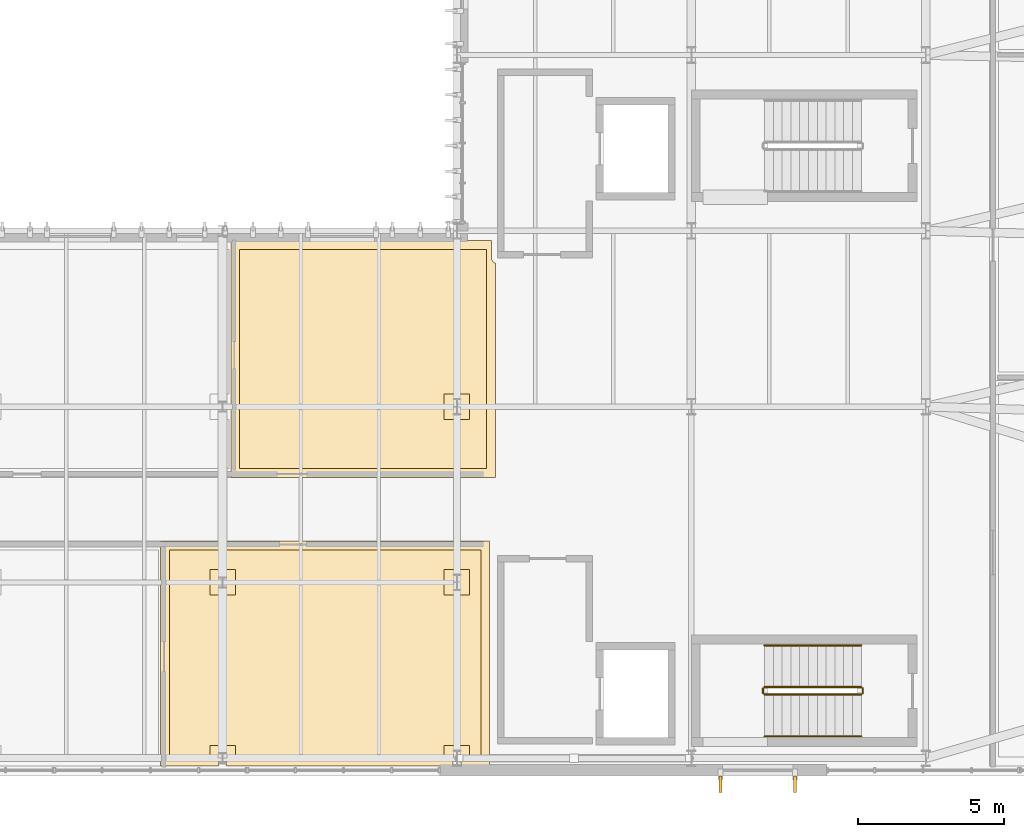
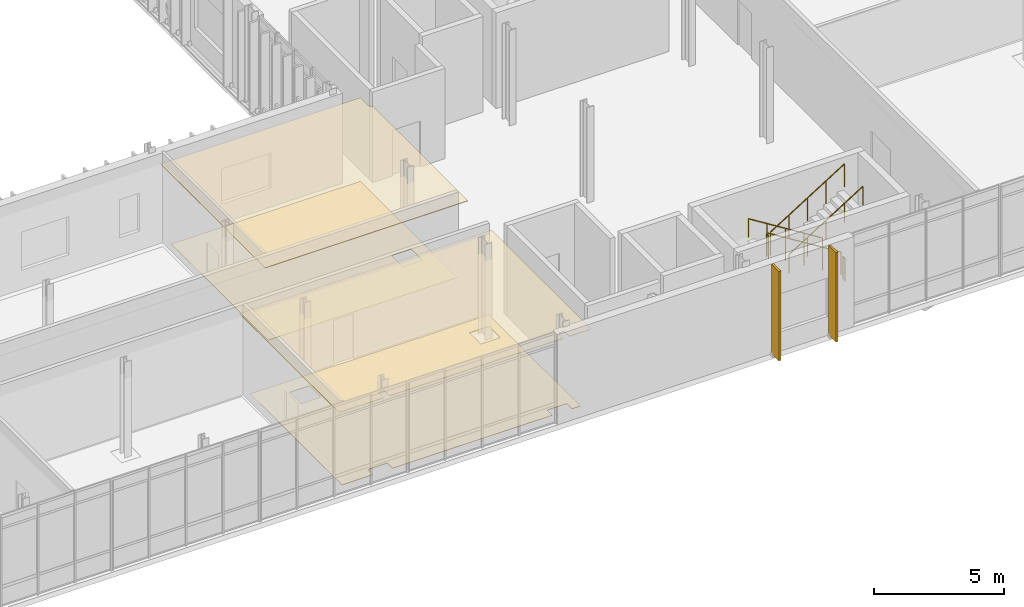
# One storey, part 83 of 86: 6 coverings, 6 railings.
"""IFC4 building model written with IfcOpenShell, lengths in metres."""

import ifcopenshell
import ifcopenshell.guid

model = None  # the IFC model being written
_history = None  # IfcOwnerHistory: only IFC2X3 demands one
_inside = {}  # id of a spatial element -> (the spatial element, [elements in it])
_under = {}  # id of a project, library or spatial element -> (it, [spatial elements below it])
_declared = {}  # id of a project -> (the project, [libraries it declares])
_typed = {}  # id of a type object -> (the type object, [elements of that type])
_made_of = {}  # id of a material, layer set ... -> (it, [elements and type objects made of it])


def new_model(schema):
    """Start an empty IFC model of exactly this schema.

    Asked for "IFC4X3", IfcOpenShell would pick the latest addendum, in which some entities
    have other attributes; the version numbers below select the first issue.
    IFC2X3 requires an IfcOwnerHistory on every rooted entity: one is made here for all.
    """
    global model, _history
    if schema == "IFC4X3":
        model = ifcopenshell.file(schema_version=(4, 3, 0, 0))
    else:
        model = ifcopenshell.file(schema=schema)
    _inside.clear()
    _under.clear()
    _declared.clear()
    _typed.clear()
    _made_of.clear()
    _history = None
    if model.schema == "IFC2X3":
        org = make("IfcOrganization", Name="unknown")
        user = make(
            "IfcPersonAndOrganization",
            ThePerson=make("IfcPerson", FamilyName="unknown"),
            TheOrganization=org,
        )
        app = make(
            "IfcApplication",
            ApplicationDeveloper=org,
            Version="unknown",
            ApplicationFullName="unknown",
            ApplicationIdentifier="unknown",
        )
        _history = make(
            "IfcOwnerHistory",
            OwningUser=user,
            OwningApplication=app,
            ChangeAction="ADDED",
            CreationDate=0,
        )
    return model


def make(cls, **values):
    """One entity of the class cls with the attributes given. An attribute that is None is left unset."""
    return model.create_entity(
        cls, **{name: value for name, value in values.items() if value is not None}
    )


def rooted(cls, **values):
    """An entity with a GlobalId (a new one), such as an element, a storey or a relation."""
    return make(cls, GlobalId=ifcopenshell.guid.new(), OwnerHistory=_history, **values)


def si_unit(unit_type, name, prefix=None):
    """IfcSIUnit, for example si_unit("LENGTHUNIT", "METRE", prefix="MILLI")."""
    return make("IfcSIUnit", UnitType=unit_type, Prefix=prefix, Name=name)


def assignment(units):
    """IfcUnitAssignment: the units of a project."""
    return None if units is None else make("IfcUnitAssignment", Units=units)


def point(xyz):
    """IfcCartesianPoint."""
    return None if xyz is None else make("IfcCartesianPoint", Coordinates=xyz)


def direction(xyz):
    """IfcDirection."""
    return None if xyz is None else make("IfcDirection", DirectionRatios=xyz)


def frame(location, z_axis=None, x_axis=None):
    """IfcAxis2Placement3D, a coordinate frame: its origin and axes. An axis left out is left unset."""
    return make(
        "IfcAxis2Placement3D",
        Location=point(location),
        Axis=direction(z_axis),
        RefDirection=direction(x_axis),
    )


def frame_2d(location, x_axis=None):
    """IfcAxis2Placement2D, a coordinate frame in the plane: its origin and x axis."""
    return make(
        "IfcAxis2Placement2D", Location=point(location), RefDirection=direction(x_axis)
    )


def origin():
    """The frame at (0, 0, 0) with its axes left unset."""
    return frame((0.0, 0.0, 0.0))


def origin_2d():
    """The frame at (0, 0) in the plane with its x axis left unset."""
    return frame_2d((0.0, 0.0))


def place(relative_to, where):
    """IfcLocalPlacement: puts the frame where relative to a parent placement (None: the world)."""
    return make(
        "IfcLocalPlacement", PlacementRelTo=relative_to, RelativePlacement=where
    )


def context(
    kind, dimensions, precision=None, world=None, true_north=None, identifier=None
):
    """IfcGeometricRepresentationContext, for example the 3D "Model" context."""
    return make(
        "IfcGeometricRepresentationContext",
        ContextIdentifier=identifier,
        ContextType=kind,
        CoordinateSpaceDimension=dimensions,
        Precision=precision,
        WorldCoordinateSystem=world,
        TrueNorth=true_north,
    )


def subcontext(parent, identifier, kind, view, scale=None):
    """IfcGeometricRepresentationSubContext, for example "Body" below "Model"."""
    return make(
        "IfcGeometricRepresentationSubContext",
        ContextIdentifier=identifier,
        ContextType=kind,
        ParentContext=parent,
        TargetScale=scale,
        TargetView=view,
    )


def project(units=None, contexts=None):
    """IfcProject with its units and contexts."""
    return rooted(
        "IfcProject",
        Name="project",
        RepresentationContexts=contexts,
        UnitsInContext=assignment(units),
    )


def spatial(cls, under=None, at=None, **own):
    """A site, building, storey or space (cls), placed at a placement, below another one or the project."""
    s = rooted(cls, ObjectPlacement=at, **own)
    if under is not None:
        _under.setdefault(under.id(), (under, []))[1].append(s)
    return s


def polyline(points):
    """IfcPolyline through the points."""
    return make("IfcPolyline", Points=[point(p) for p in points])


def profile(cls, at=None, kind="AREA", **sizes):
    """A parametric profile (cls). Its sizes go by their IFC names, for example OverallWidth=200.0."""
    return make(cls, ProfileType=kind, Position=at, **sizes)


def rectangle(**sizes):
    """IfcRectangleProfileDef."""
    return profile("IfcRectangleProfileDef", **sizes)


def circle(**sizes):
    """IfcCircleProfileDef."""
    return profile("IfcCircleProfileDef", **sizes)


def outline(outer, holes=None, kind="AREA"):
    """IfcArbitraryClosedProfileDef: a profile drawn as a closed curve; with holes, ...WithVoids."""
    if holes is None:
        return make("IfcArbitraryClosedProfileDef", ProfileType=kind, OuterCurve=outer)
    return make(
        "IfcArbitraryProfileDefWithVoids",
        ProfileType=kind,
        OuterCurve=outer,
        InnerCurves=holes,
    )


def extrude(swept, where, along, depth):
    """IfcExtrudedAreaSolid: the profile swept, set in the frame where, extruded along a direction by depth."""
    return make(
        "IfcExtrudedAreaSolid",
        SweptArea=swept,
        Position=where,
        ExtrudedDirection=direction(along),
        Depth=depth,
    )


def shape(context_of_items, identifier, shape_type, items):
    """IfcShapeRepresentation: the items that make up one representation, for example the "Body"."""
    return make(
        "IfcShapeRepresentation",
        ContextOfItems=context_of_items,
        RepresentationIdentifier=identifier,
        RepresentationType=shape_type,
        Items=items,
    )


def material(Name=None, Category=None):
    """IfcMaterial."""
    return make("IfcMaterial", Name=Name, Category=Category)


def layer(
    of_material, thickness, ventilated=None, Name=None, Category=None, Priority=None
):
    """IfcMaterialLayer: one layer of a wall or slab, of a material (None: an air gap)."""
    return make(
        "IfcMaterialLayer",
        Material=of_material,
        LayerThickness=thickness,
        IsVentilated=ventilated,
        Name=Name,
        Category=Category,
        Priority=Priority,
    )


def layer_set(layers, Name=None):
    """IfcMaterialLayerSet."""
    return make("IfcMaterialLayerSet", MaterialLayers=layers, LayerSetName=Name)


def made_of(thing, what):
    """Note that an element or type object is made of a material, layer set ...; save() writes the relation."""
    if what is not None:
        _made_of.setdefault(what.id(), (what, []))[1].append(thing)
    return thing


def type_object(cls, material=None, **own):
    """A type object (cls), such as IfcWallType, which elements share."""
    return made_of(rooted(cls, **own), material)


def element(
    cls,
    number,
    at=None,
    inside=None,
    cuts=None,
    type_object=None,
    material=None,
    context=None,
    identifier="Body",
    shape_type=None,
    held_by="IfcProductDefinitionShape",
    body=None,
    shapes=None,
    **own,
):
    """One element of the class cls, such as IfcWall. Its Tag is "e" and its number.

    at: its placement. inside: the storey or other place that contains it. cuts: it is an
    opening in that element (IfcRelVoidsElement). A single representation is given by context,
    identifier, shape_type and body (its items); several are given by shapes. held_by: the class
    of the entity that holds the representations. save() writes the other relations.
    """
    e = rooted(cls, Tag="e%d" % number, ObjectPlacement=at, **own)
    if body is not None:
        shapes = [shape(context, identifier, shape_type, body)]
    if shapes is not None:
        e.Representation = make(held_by, Representations=shapes)
    if inside is not None:
        _inside.setdefault(inside.id(), (inside, []))[1].append(e)
    if cuts is not None:
        rooted(
            "IfcRelVoidsElement", RelatingBuildingElement=cuts, RelatedOpeningElement=e
        )
    if type_object is not None:
        _typed.setdefault(type_object.id(), (type_object, []))[1].append(e)
    return made_of(e, material)


def aggregate(whole, parts):
    """IfcRelAggregates: a whole, such as a stair, and the parts it consists of."""
    return rooted("IfcRelAggregates", RelatingObject=whole, RelatedObjects=parts)


def save(model, path):
    """Write the relations noted so far, then the file.

    IfcRelAggregates (storeys below a building ...), IfcRelContainedInSpatialStructure (elements
    in a storey), IfcRelDefinesByType, IfcRelAssociatesMaterial and IfcRelDeclares: one each for
    every whole, place, type object, material and project.
    """
    for whole, parts in _under.values():
        aggregate(whole, parts)
    for where, things in _inside.values():
        rooted(
            "IfcRelContainedInSpatialStructure",
            RelatedElements=things,
            RelatingStructure=where,
        )
    for kind, things in _typed.values():
        rooted("IfcRelDefinesByType", RelatedObjects=things, RelatingType=kind)
    for what, things in _made_of.values():
        rooted("IfcRelAssociatesMaterial", RelatedObjects=things, RelatingMaterial=what)
    for by, libraries in _declared.values():
        rooted("IfcRelDeclares", RelatingContext=by, RelatedDefinitions=libraries)
    model.write(path)


model = new_model("IFC4")

# Units and contexts
model_context = context("Model", 3, precision=1e-05, world=origin(), true_north=direction((0.0, 1.0)))
body_context = subcontext(model_context, "Body", "Model", "MODEL_VIEW")
ifc_project = project(units=[si_unit("LENGTHUNIT", "METRE"), si_unit("AREAUNIT", "SQUARE_METRE"), si_unit("VOLUMEUNIT", "CUBIC_METRE"), si_unit("PLANEANGLEUNIT", "RADIAN"), si_unit("MASSUNIT", "GRAM", prefix="KILO")], contexts=[model_context])

# Site, building, storey
site_placement = place(None, origin())
site = spatial("IfcSite", under=ifc_project, at=site_placement, CompositionType="ELEMENT")
building_placement = place(site_placement, origin())
building = spatial("IfcBuilding", under=site, at=building_placement, Name="Cymarion Research Institute", CompositionType="ELEMENT")
storey_placement = place(building_placement, frame((0.0, 0.0, 13.800048828125)))
storey = spatial("IfcBuildingStorey", under=building, at=storey_placement, Name="L03", CompositionType="ELEMENT", Elevation=13.800048828125)

# Coverings
ifc_material_1 = material(Name="Micro-perforated mineral acoustic ceiling tile", Category="gypsum")
ifc_layer_1 = layer(ifc_material_1, 0.030029296875)
ifc_layer_set_1 = layer_set([ifc_layer_1], Name="Micro-perforated mineral acoustic ceiling tile")
covering_type_1 = type_object("IfcCoveringType", Name="ACOUSTIC MICRO-PERFORATED SUSPENDED CEILING CLG-01", PredefinedType="CEILING", material=ifc_layer_set_1)
covering_1_placement = place(storey_placement, frame((0.0, 0.0, 3.68994140625)))
element("IfcCovering", 1, at=covering_1_placement, inside=storey, type_object=covering_type_1, Name="L03 L03 Accessible Staff Restroom and Shower acoustic ceiling", PredefinedType="CEILING", context=body_context, shape_type="SweptSolid", body=[
    extrude(outline(polyline([(139.715087890625, 12.9150390625), (139.715087890625, 5.235107421875), (138.735107421875, 5.235107421875), (138.735107421875, 5.635009765625), (138.465087890625, 5.635009765625), (138.465087890625, 5.235107421875), (130.735107421875, 5.235107421875), (130.735107421875, 5.635009765625), (130.465087890625, 5.635009765625), (130.465087890625, 5.235107421875), (128.485107421875, 5.235107421875), (128.485107421875, 12.9150390625), (139.715087890625, 12.9150390625)])), origin(), (0.0, 0.0, 1.0), 0.030029296875),
])
covering_2_placement = place(storey_placement, frame((0.0, 0.0, 3.68994140625)))
element("IfcCovering", 2, at=covering_2_placement, inside=storey, type_object=covering_type_1, Name="L03 L03 Research Group Seminar & Data Review Room acoustic ceiling", PredefinedType="CEILING", context=body_context, shape_type="SweptSolid", body=[
    extrude(outline(polyline([(139.780029296875, 23.1650390625), (139.780029296875, 22.580078125), (139.781005859375, 22.560302734375), (139.78369140625, 22.541015625), (139.78857421875, 22.52197265625), (139.795166015625, 22.50341796875), (139.8037109375, 22.485595703125), (139.813720703125, 22.468994140625), (139.825439453125, 22.453125), (139.838623046875, 22.438720703125), (139.85302734375, 22.42529296875), (139.868896484375, 22.413818359375), (139.8857421875, 22.403564453125), (139.903564453125, 22.395263671875), (139.9150390625, 22.39111328125), (139.9150390625, 15.0849609375), (130.885009765625, 15.0849609375), (130.885009765625, 23.1650390625), (139.780029296875, 23.1650390625)])), origin(), (0.0, 0.0, 1.0), 0.030029296875),
])
ifc_material_2 = material(Name="Precast concrete C45/55 architectural white", Category="concrete")
ifc_layer_2 = layer(ifc_material_2, 0.090087890625)
ifc_layer_set_2 = layer_set([ifc_layer_2], Name="Precast concrete C45/55 architectural white")
covering_type_2 = type_object("IfcCoveringType", Name="ARCHITECTURAL WHITE PRECAST CONCRETE VERTICAL FIN FIN1 560MM", PredefinedType="CLADDING", material=ifc_layer_set_2)
for number, where, z_axis, x_axis, name in (
    (3, (147.5966796875, 4.617919921875, 0.009765625), (0.0, 0.0, 1.0), (0.0, -1.0, 0.0), "L03 V1 white precast vertical fin FIN1 #317"),
    (4, (150.13671875, 4.617919921875, 0.009765625), (0.0, 0.0, 1.0), (0.0, -1.0, 0.0), "L03 V1 white precast vertical fin FIN1 #318"),
):
    element("IfcCovering", number, at=place(storey_placement, frame(where, z_axis=z_axis, x_axis=x_axis)), inside=storey, type_object=covering_type_2, Name=name, PredefinedType="CLADDING", context=body_context, shape_type="SweptSolid", body=[
        extrude(rectangle(XDim=0.56005859375, YDim=0.090087890625, at=origin_2d()), origin(), (0.0, 0.0, 1.0), 4.219970703125),
    ])

# Railings
ifc_material_3 = material(Name="Steel S355", Category="steel")
railing_type_1 = type_object("IfcRailingType", Name="PAINTED STEEL STAIR GUARDRAIL GR1 1100MM", PredefinedType="GUARDRAIL", material=ifc_material_3)
railing_1_placement = place(storey_placement, frame((152.39990234375, 7.929931640625, 0.1875)))
element("IfcRailing", 5, at=railing_1_placement, inside=storey, type_object=railing_type_1, Name="L03 ST1 stair guard 1", PredefinedType="GUARDRAIL", context=body_context, shape_type="SweptSolid", body=[
    extrude(circle(Radius=0.02392578125, at=origin_2d()), frame((0.0, 0.0, 1.076171875), z_axis=(-0.847984204989, 0.0, 0.530021497762), x_axis=(0.0, -1.0, 0.0)), (0.0, 0.0, 1.0), 3.891357421875),
    extrude(circle(Radius=0.02099609375, at=origin_2d()), origin(), (0.0, 0.0, 1.0), 1.052001953125),
    extrude(circle(Radius=0.02099609375, at=origin_2d()), frame((-0.824951171875, 0.0, 0.515625)), (0.0, 0.0, 1.0), 1.052001953125),
    extrude(circle(Radius=0.02099609375, at=origin_2d()), frame((-1.64990234375, 0.0, 1.03125)), (0.0, 0.0, 1.0), 1.052001953125),
    extrude(circle(Radius=0.02099609375, at=origin_2d()), frame((-2.474853515625, 0.0, 1.546875)), (0.0, 0.0, 1.0), 1.052001953125),
    extrude(circle(Radius=0.02099609375, at=origin_2d()), frame((-3.2998046875, 0.0, 2.0625)), (0.0, 0.0, 1.0), 1.052001953125),
])
railing_2_placement = place(storey_placement, frame((149.050048828125, 7.8798828125, 2.25)))
element("IfcRailing", 6, at=railing_2_placement, inside=storey, type_object=railing_type_1, Name="L03 ST1 stair guard 2", PredefinedType="GUARDRAIL", context=body_context, shape_type="SweptSolid", body=[
    extrude(circle(Radius=0.02392578125, at=origin_2d()), frame((0.0, 0.0, 1.076171875), z_axis=(0.0, -1.0, 0.0), x_axis=(1.0, 0.0, 0.0)), (0.0, 0.0, 1.0), 0.159912109375),
    extrude(circle(Radius=0.02099609375, at=origin_2d()), origin(), (0.0, 0.0, 1.0), 1.052001953125),
    extrude(circle(Radius=0.02099609375, at=origin_2d()), frame((0.0, -0.159912109375, 0.0)), (0.0, 0.0, 1.0), 1.052001953125),
])
railing_3_placement = place(storey_placement, frame((149.10009765625, 7.669921875, 2.4375)))
element("IfcRailing", 7, at=railing_3_placement, inside=storey, type_object=railing_type_1, Name="L03 ST1 stair guard 3", PredefinedType="GUARDRAIL", context=body_context, shape_type="SweptSolid", body=[
    extrude(circle(Radius=0.02392578125, at=origin_2d()), frame((0.0, 0.0, 1.076171875), z_axis=(0.847984204989, 0.0, 0.530021497762), x_axis=(0.0, 1.0, 0.0)), (0.0, 0.0, 1.0), 3.891357421875),
    extrude(circle(Radius=0.02099609375, at=origin_2d()), origin(), (0.0, 0.0, 1.0), 1.052001953125),
    extrude(circle(Radius=0.02099609375, at=origin_2d()), frame((0.824951171875, 0.0, 0.515625)), (0.0, 0.0, 1.0), 1.052001953125),
    extrude(circle(Radius=0.02099609375, at=origin_2d()), frame((1.64990234375, 0.0, 1.03125)), (0.0, 0.0, 1.0), 1.052001953125),
    extrude(circle(Radius=0.02099609375, at=origin_2d()), frame((2.474853515625, 0.0, 1.546875)), (0.0, 0.0, 1.0), 1.052001953125),
    extrude(circle(Radius=0.02099609375, at=origin_2d()), frame((3.2998046875, 0.0, 2.0625)), (0.0, 0.0, 1.0), 1.052001953125),
])
railing_4_placement = place(storey_placement, frame((152.449951171875, 7.8798828125, 0.0)))
element("IfcRailing", 8, at=railing_4_placement, inside=storey, type_object=railing_type_1, Name="L03 ST1 stair guard 4", PredefinedType="GUARDRAIL", context=body_context, shape_type="SweptSolid", body=[
    extrude(circle(Radius=0.02392578125, at=origin_2d()), frame((0.0, 0.0, 1.076171875), z_axis=(0.0, -1.0, 0.0), x_axis=(1.0, 0.0, 0.0)), (0.0, 0.0, 1.0), 0.159912109375),
    extrude(circle(Radius=0.02099609375, at=origin_2d()), origin(), (0.0, 0.0, 1.0), 1.052001953125),
    extrude(circle(Radius=0.02099609375, at=origin_2d()), frame((0.0, -0.159912109375, 0.0)), (0.0, 0.0, 1.0), 1.052001953125),
])

# Coverings
ifc_material_4 = material(Name="Seamless dissipative epoxy resin flooring", Category="resin")
ifc_layer_3 = layer(ifc_material_4, 0.02001953125)
ifc_layer_set_3 = layer_set([ifc_layer_3], Name="Seamless dissipative epoxy resin flooring")
covering_type_3 = type_object("IfcCoveringType", Name="SEAMLESS ESD EPOXY LABORATORY FLOORING FLR-01", PredefinedType="FLOORING", material=ifc_layer_set_3)
covering_3_placement = place(storey_placement, origin())
element("IfcCovering", 9, at=covering_3_placement, inside=storey, type_object=covering_type_3, Name="L03 L03 Accessible Staff Restroom and Shower ESD epoxy flooring", PredefinedType="FLOORING", context=body_context, shape_type="SweptSolid", body=[
    extrude(outline(polyline([(128.784912109375, 12.614990234375), (139.4150390625, 12.614990234375), (139.4150390625, 5.534912109375), (139.034912109375, 5.534912109375), (139.034912109375, 5.93505859375), (138.1650390625, 5.93505859375), (138.1650390625, 5.534912109375), (131.034912109375, 5.534912109375), (131.034912109375, 5.93505859375), (130.1650390625, 5.93505859375), (130.1650390625, 5.534912109375), (128.784912109375, 5.534912109375), (128.784912109375, 12.614990234375)]), holes=[polyline([(139.034912109375, 11.93505859375), (138.1650390625, 11.93505859375), (138.1650390625, 11.06494140625), (139.034912109375, 11.06494140625), (139.034912109375, 11.93505859375)]), polyline([(130.1650390625, 11.93505859375), (130.1650390625, 11.06494140625), (131.034912109375, 11.06494140625), (131.034912109375, 11.93505859375), (130.1650390625, 11.93505859375)])]), origin(), (0.0, 0.0, 1.0), 0.02001953125),
])
covering_4_placement = place(storey_placement, origin())
element("IfcCovering", 10, at=covering_4_placement, inside=storey, type_object=covering_type_3, Name="L03 L03 Research Group Seminar & Data Review Room ESD epoxy flooring", PredefinedType="FLOORING", context=body_context, shape_type="SweptSolid", body=[
    extrude(outline(polyline([(131.18505859375, 22.864990234375), (139.614990234375, 22.864990234375), (139.614990234375, 15.385009765625), (131.18505859375, 15.385009765625), (131.18505859375, 22.864990234375)]), holes=[polyline([(139.034912109375, 17.93505859375), (138.1650390625, 17.93505859375), (138.1650390625, 17.06494140625), (139.034912109375, 17.06494140625), (139.034912109375, 17.93505859375)])]), origin(), (0.0, 0.0, 1.0), 0.02001953125),
])

# Railings
railing_type_2 = type_object("IfcRailingType", Name="STAINLESS STEEL STAIR HANDRAIL HR1 900MM", PredefinedType="HANDRAIL", material=ifc_material_3)
railing_5_placement = place(storey_placement, frame((152.39990234375, 9.35009765625, 0.1875)))
element("IfcRailing", 11, at=railing_5_placement, inside=storey, type_object=railing_type_2, Name="L03 ST1 stair handrail 1", PredefinedType="HANDRAIL", context=body_context, shape_type="SweptSolid", body=[
    extrude(circle(Radius=0.02392578125, at=origin_2d()), frame((0.0, 0.0, 0.8759765625), z_axis=(-0.847984204989, 0.0, 0.530021497762), x_axis=(0.0, -1.0, 0.0)), (0.0, 0.0, 1.0), 3.891357421875),
    extrude(circle(Radius=0.02099609375, at=origin_2d()), origin(), (0.0, 0.0, 1.0), 0.851806640625),
    extrude(circle(Radius=0.02099609375, at=origin_2d()), frame((-0.824951171875, 0.0, 0.515625)), (0.0, 0.0, 1.0), 0.851806640625),
    extrude(circle(Radius=0.02099609375, at=origin_2d()), frame((-1.64990234375, 0.0, 1.03125)), (0.0, 0.0, 1.0), 0.851806640625),
    extrude(circle(Radius=0.02099609375, at=origin_2d()), frame((-2.474853515625, 0.0, 1.546875)), (0.0, 0.0, 1.0), 0.851806640625),
    extrude(circle(Radius=0.02099609375, at=origin_2d()), frame((-3.2998046875, 0.0, 2.0625)), (0.0, 0.0, 1.0), 0.851806640625),
])
railing_6_placement = place(storey_placement, frame((149.10009765625, 6.25, 2.4375)))
element("IfcRailing", 12, at=railing_6_placement, inside=storey, type_object=railing_type_2, Name="L03 ST1 stair handrail 2", PredefinedType="HANDRAIL", context=body_context, shape_type="SweptSolid", body=[
    extrude(circle(Radius=0.02392578125, at=origin_2d()), frame((0.0, 0.0, 0.8759765625), z_axis=(0.847984204989, 0.0, 0.530021497762), x_axis=(0.0, 1.0, 0.0)), (0.0, 0.0, 1.0), 3.891357421875),
    extrude(circle(Radius=0.02099609375, at=origin_2d()), origin(), (0.0, 0.0, 1.0), 0.851806640625),
    extrude(circle(Radius=0.02099609375, at=origin_2d()), frame((0.824951171875, 0.0, 0.515625)), (0.0, 0.0, 1.0), 0.851806640625),
    extrude(circle(Radius=0.02099609375, at=origin_2d()), frame((1.64990234375, 0.0, 1.03125)), (0.0, 0.0, 1.0), 0.851806640625),
    extrude(circle(Radius=0.02099609375, at=origin_2d()), frame((2.474853515625, 0.0, 1.546875)), (0.0, 0.0, 1.0), 0.851806640625),
    extrude(circle(Radius=0.02099609375, at=origin_2d()), frame((3.2998046875, 0.0, 2.0625)), (0.0, 0.0, 1.0), 0.851806640625),
])

save(model, "model.ifc")
